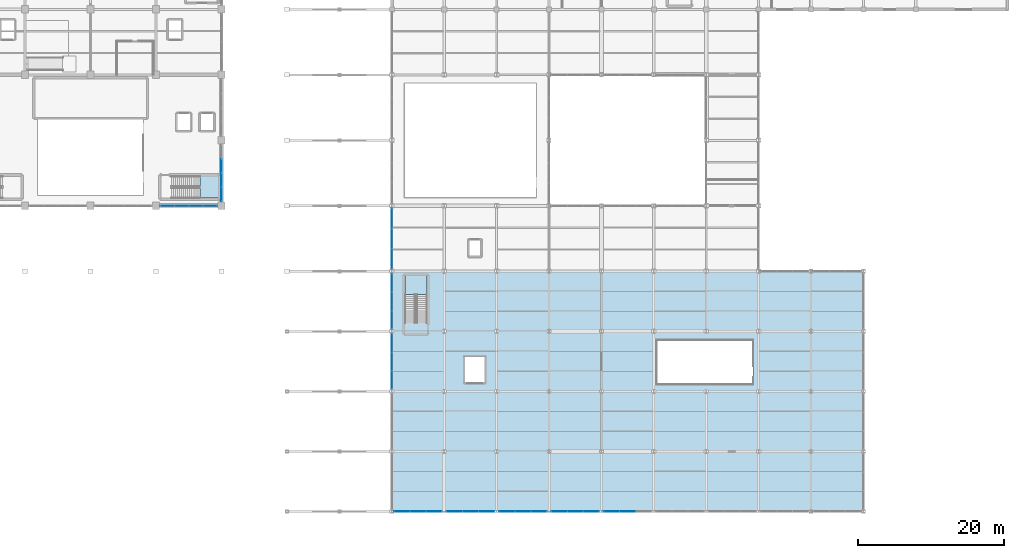
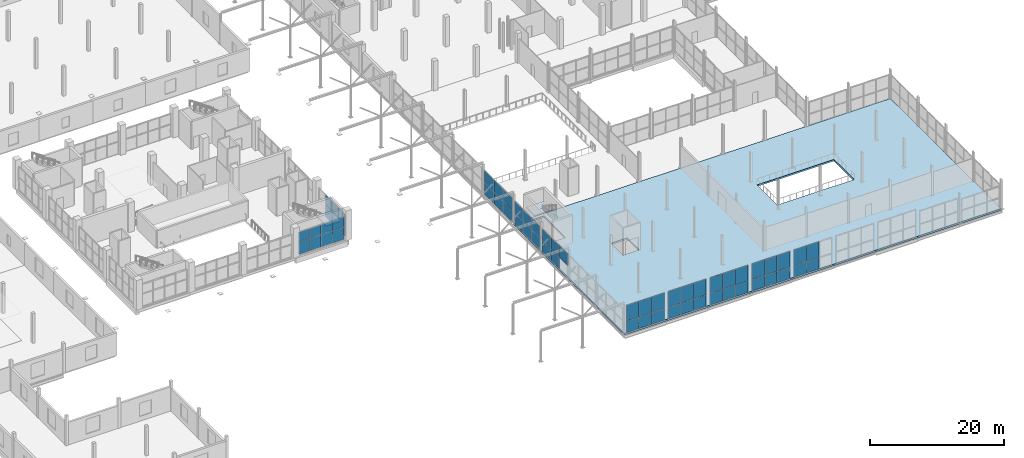
# One storey, part 114 of 147: 59 plates, 3 slabs, 12 elements without a shape of their own.
"""IFC4 building model written with IfcOpenShell, lengths in metres."""

from ifc_helpers import new_model, si_unit, direction, frame, origin, origin_2d, place, context, subcontext, project, spatial, polyline, rectangle, outline, extrude, material, layer, layer_set, type_object, element, aggregate, save


model = new_model("IFC4")

# Units and contexts
model_context = context("Model", 3, precision=1e-05, world=origin(), true_north=direction((0.0, 1.0)))
body_context = subcontext(model_context, "Body", "Model", "MODEL_VIEW")
ifc_project = project(units=[si_unit("LENGTHUNIT", "METRE"), si_unit("AREAUNIT", "SQUARE_METRE"), si_unit("VOLUMEUNIT", "CUBIC_METRE"), si_unit("PLANEANGLEUNIT", "RADIAN"), si_unit("MASSUNIT", "GRAM", prefix="KILO")], contexts=[model_context])

# Site, building, storey
site_placement = place(None, origin())
site = spatial("IfcSite", under=ifc_project, at=site_placement, CompositionType="ELEMENT")
building_placement = place(site_placement, origin())
building = spatial("IfcBuilding", under=site, at=building_placement, Name="Sundgate Opera House", CompositionType="ELEMENT")
storey_placement = place(building_placement, frame((0.0, 0.0, 6.0)))
storey = spatial("IfcBuildingStorey", under=building, at=storey_placement, Name="L01", CompositionType="ELEMENT", Elevation=6.0)

# Curtain wall, plates
ifc_material_1 = material(Name="Anodized aluminium and low-iron glass", Category="aluminium")
ifc_layer_1 = layer(ifc_material_1, 0.179931640625)
ifc_layer_set_1 = layer_set([ifc_layer_1], Name="Anodized aluminium and low-iron glass")
curtain_wall_type_1 = type_object("IfcCurtainWallType", Name="CW-FOYER-GLASS", PredefinedType="NOTDEFINED", material=ifc_layer_set_1)
curtain_wall_1_placement = place(storey_placement, origin())
curtain_wall_1 = element("IfcCurtainWall", 1, at=curtain_wall_1_placement, inside=storey, type_object=curtain_wall_type_1, Name="L01 Curtain Wall CW014", PredefinedType="NOTDEFINED")
ifc_material_2 = material(Name="Low-iron triple acoustic glazing", Category="glass")
ifc_layer_2 = layer(ifc_material_2, 0.035888671875)
ifc_layer_set_2 = layer_set([ifc_layer_2], Name="Low-iron triple acoustic glazing")
plate_type_1 = type_object("IfcPlateType", Name="CWP-CLEAR-36", PredefinedType="CURTAIN_PANEL", material=ifc_layer_set_2)
plate_1_placement = place(storey_placement, frame((70.425048828125, 42.0, 0.02001953125), z_axis=(0.0, 0.0, 1.0), x_axis=(-1.0, 0.0, 0.0)))
plate_1 = element("IfcPlate", 2, at=plate_1_placement, type_object=plate_type_1, Name="CW014 Panel 1", PredefinedType="CURTAIN_PANEL", context=body_context, shape_type="SweptSolid", body=[
    extrude(rectangle(XDim=1.909912109375, YDim=0.035888671875, at=origin_2d()), origin(), (0.0, 0.0, 1.0), 2.260009765625),
])
plate_2_placement = place(storey_placement, frame((70.425048828125, 42.0, 2.320068359375), z_axis=(0.0, 0.0, 1.0), x_axis=(-1.0, 0.0, 0.0)))
plate_2 = element("IfcPlate", 3, at=plate_2_placement, type_object=plate_type_1, Name="CW014 Panel 2", PredefinedType="CURTAIN_PANEL", context=body_context, shape_type="SweptSolid", body=[
    extrude(rectangle(XDim=1.909912109375, YDim=0.035888671875, at=origin_2d()), origin(), (0.0, 0.0, 1.0), 1.705078125),
])
plate_3_placement = place(storey_placement, frame((68.47509765625, 42.0, 0.02001953125), z_axis=(0.0, 0.0, 1.0), x_axis=(-1.0, 0.0, 0.0)))
plate_3 = element("IfcPlate", 4, at=plate_3_placement, type_object=plate_type_1, Name="CW014 Panel 3", PredefinedType="CURTAIN_PANEL", context=body_context, shape_type="SweptSolid", body=[
    extrude(rectangle(XDim=1.909912109375, YDim=0.035888671875, at=origin_2d()), origin(), (0.0, 0.0, 1.0), 2.260009765625),
])
plate_4_placement = place(storey_placement, frame((68.47509765625, 42.0, 2.320068359375), z_axis=(0.0, 0.0, 1.0), x_axis=(-1.0, 0.0, 0.0)))
plate_4 = element("IfcPlate", 5, at=plate_4_placement, type_object=plate_type_1, Name="CW014 Panel 4", PredefinedType="CURTAIN_PANEL", context=body_context, shape_type="SweptSolid", body=[
    extrude(rectangle(XDim=1.909912109375, YDim=0.035888671875, at=origin_2d()), origin(), (0.0, 0.0, 1.0), 1.705078125),
])
plate_5_placement = place(storey_placement, frame((66.52490234375, 42.0, 0.02001953125), z_axis=(0.0, 0.0, 1.0), x_axis=(-1.0, 0.0, 0.0)))
plate_5 = element("IfcPlate", 6, at=plate_5_placement, type_object=plate_type_1, Name="CW014 Panel 5", PredefinedType="CURTAIN_PANEL", context=body_context, shape_type="SweptSolid", body=[
    extrude(rectangle(XDim=1.909912109375, YDim=0.035888671875, at=origin_2d()), origin(), (0.0, 0.0, 1.0), 2.260009765625),
])
plate_6_placement = place(storey_placement, frame((66.52490234375, 42.0, 2.320068359375), z_axis=(0.0, 0.0, 1.0), x_axis=(-1.0, 0.0, 0.0)))
plate_6 = element("IfcPlate", 7, at=plate_6_placement, type_object=plate_type_1, Name="CW014 Panel 6", PredefinedType="CURTAIN_PANEL", context=body_context, shape_type="SweptSolid", body=[
    extrude(rectangle(XDim=1.909912109375, YDim=0.035888671875, at=origin_2d()), origin(), (0.0, 0.0, 1.0), 1.705078125),
])
plate_7_placement = place(storey_placement, frame((64.574951171875, 42.0, 0.02001953125), z_axis=(0.0, 0.0, 1.0), x_axis=(-1.0, 0.0, 0.0)))
plate_7 = element("IfcPlate", 8, at=plate_7_placement, type_object=plate_type_1, Name="CW014 Panel 7", PredefinedType="CURTAIN_PANEL", context=body_context, shape_type="SweptSolid", body=[
    extrude(rectangle(XDim=1.909912109375, YDim=0.035888671875, at=origin_2d()), origin(), (0.0, 0.0, 1.0), 2.260009765625),
])
plate_8_placement = place(storey_placement, frame((64.574951171875, 42.0, 2.320068359375), z_axis=(0.0, 0.0, 1.0), x_axis=(-1.0, 0.0, 0.0)))
plate_8 = element("IfcPlate", 9, at=plate_8_placement, type_object=plate_type_1, Name="CW014 Panel 8", PredefinedType="CURTAIN_PANEL", context=body_context, shape_type="SweptSolid", body=[
    extrude(rectangle(XDim=1.909912109375, YDim=0.035888671875, at=origin_2d()), origin(), (0.0, 0.0, 1.0), 1.705078125),
])
aggregate(curtain_wall_1, [plate_1, plate_2, plate_3, plate_4, plate_5, plate_6, plate_7, plate_8])

curtain_wall_2_placement = place(storey_placement, origin())
curtain_wall_2 = element("IfcCurtainWall", 10, at=curtain_wall_2_placement, inside=storey, type_object=curtain_wall_type_1, Name="L01 Curtain Wall CW023", PredefinedType="NOTDEFINED")
plate_9_placement = place(storey_placement, frame((72.0, 43.574951171875, 0.02001953125), z_axis=(0.0, 0.0, 1.0), x_axis=(0.0, 1.0, 0.0)))
plate_9 = element("IfcPlate", 11, at=plate_9_placement, type_object=plate_type_1, Name="CW023 Panel 1", PredefinedType="CURTAIN_PANEL", context=body_context, shape_type="SweptSolid", body=[
    extrude(rectangle(XDim=1.909912109375, YDim=0.035888671875, at=origin_2d()), origin(), (0.0, 0.0, 1.0), 2.260009765625),
])
plate_10_placement = place(storey_placement, frame((72.0, 43.574951171875, 2.320068359375), z_axis=(0.0, 0.0, 1.0), x_axis=(0.0, 1.0, 0.0)))
plate_10 = element("IfcPlate", 12, at=plate_10_placement, type_object=plate_type_1, Name="CW023 Panel 2", PredefinedType="CURTAIN_PANEL", context=body_context, shape_type="SweptSolid", body=[
    extrude(rectangle(XDim=1.909912109375, YDim=0.035888671875, at=origin_2d()), origin(), (0.0, 0.0, 1.0), 1.7548828125),
])
plate_11_placement = place(storey_placement, frame((72.0, 45.52490234375, 0.02001953125), z_axis=(0.0, 0.0, 1.0), x_axis=(0.0, 1.0, 0.0)))
plate_11 = element("IfcPlate", 13, at=plate_11_placement, type_object=plate_type_1, Name="CW023 Panel 3", PredefinedType="CURTAIN_PANEL", context=body_context, shape_type="SweptSolid", body=[
    extrude(rectangle(XDim=1.909912109375, YDim=0.035888671875, at=origin_2d()), origin(), (0.0, 0.0, 1.0), 2.260009765625),
])
plate_12_placement = place(storey_placement, frame((72.0, 45.52490234375, 2.320068359375), z_axis=(0.0, 0.0, 1.0), x_axis=(0.0, 1.0, 0.0)))
plate_12 = element("IfcPlate", 14, at=plate_12_placement, type_object=plate_type_1, Name="CW023 Panel 4", PredefinedType="CURTAIN_PANEL", context=body_context, shape_type="SweptSolid", body=[
    extrude(rectangle(XDim=1.909912109375, YDim=0.035888671875, at=origin_2d()), origin(), (0.0, 0.0, 1.0), 1.7548828125),
])
plate_13_placement = place(storey_placement, frame((72.0, 47.47509765625, 0.02001953125), z_axis=(0.0, 0.0, 1.0), x_axis=(0.0, 1.0, 0.0)))
plate_13 = element("IfcPlate", 15, at=plate_13_placement, type_object=plate_type_1, Name="CW023 Panel 5", PredefinedType="CURTAIN_PANEL", context=body_context, shape_type="SweptSolid", body=[
    extrude(rectangle(XDim=1.909912109375, YDim=0.035888671875, at=origin_2d()), origin(), (0.0, 0.0, 1.0), 2.260009765625),
])
plate_14_placement = place(storey_placement, frame((72.0, 47.47509765625, 2.320068359375), z_axis=(0.0, 0.0, 1.0), x_axis=(0.0, 1.0, 0.0)))
plate_14 = element("IfcPlate", 16, at=plate_14_placement, type_object=plate_type_1, Name="CW023 Panel 6", PredefinedType="CURTAIN_PANEL", context=body_context, shape_type="SweptSolid", body=[
    extrude(rectangle(XDim=1.909912109375, YDim=0.035888671875, at=origin_2d()), origin(), (0.0, 0.0, 1.0), 1.7548828125),
])
aggregate(curtain_wall_2, [plate_9, plate_10, plate_11, plate_12, plate_13, plate_14])

ifc_material_3 = material(Name="Anodized aluminium and low-iron glass", Category="aluminium")
ifc_layer_3 = layer(ifc_material_3, 0.159912109375)
ifc_layer_set_3 = layer_set([ifc_layer_3], Name="Anodized aluminium and low-iron glass")
curtain_wall_type_2 = type_object("IfcCurtainWallType", Name="CW-STUDIO-DARK", PredefinedType="NOTDEFINED", material=ifc_layer_set_3)
curtain_wall_3_placement = place(storey_placement, origin())
curtain_wall_3 = element("IfcCurtainWall", 17, at=curtain_wall_3_placement, inside=storey, type_object=curtain_wall_type_2, Name="L01 Curtain Wall CW044", PredefinedType="NOTDEFINED")
ifc_material_4 = material(Name="Dark solar-control triple acoustic glazing", Category="glass")
ifc_layer_4 = layer(ifc_material_4, 0.031982421875)
ifc_layer_set_4 = layer_set([ifc_layer_4], Name="Dark solar-control triple acoustic glazing")
plate_type_2 = type_object("IfcPlateType", Name="CWP-DARK-32", PredefinedType="CURTAIN_PANEL", material=ifc_layer_set_4)
plate_15_placement = place(storey_placement, frame((95.39990234375, 40.283447265625, 0.02001953125), z_axis=(0.0, 0.0, 1.0), x_axis=(0.0, -1.0, 0.0)))
plate_15 = element("IfcPlate", 18, at=plate_15_placement, type_object=plate_type_2, Name="CW044 Panel 1", PredefinedType="CURTAIN_PANEL", context=body_context, shape_type="SweptSolid", body=[
    extrude(rectangle(XDim=2.743408203125, YDim=0.031982421875, at=origin_2d()), origin(), (0.0, 0.0, 1.0), 2.110107421875),
])
plate_16_placement = place(storey_placement, frame((95.39990234375, 40.283447265625, 2.169921875), z_axis=(0.0, 0.0, 1.0), x_axis=(0.0, -1.0, 0.0)))
plate_16 = element("IfcPlate", 19, at=plate_16_placement, type_object=plate_type_2, Name="CW044 Panel 2", PredefinedType="CURTAIN_PANEL", context=body_context, shape_type="SweptSolid", body=[
    extrude(rectangle(XDim=2.743408203125, YDim=0.031982421875, at=origin_2d()), origin(), (0.0, 0.0, 1.0), 2.22509765625),
])
plate_17_placement = place(storey_placement, frame((95.39990234375, 37.5, 0.02001953125), z_axis=(0.0, 0.0, 1.0), x_axis=(0.0, -1.0, 0.0)))
plate_17 = element("IfcPlate", 20, at=plate_17_placement, type_object=plate_type_2, Name="CW044 Panel 3", PredefinedType="CURTAIN_PANEL", context=body_context, shape_type="SweptSolid", body=[
    extrude(rectangle(XDim=2.743408203125, YDim=0.031982421875, at=origin_2d()), origin(), (0.0, 0.0, 1.0), 2.110107421875),
])
plate_18_placement = place(storey_placement, frame((95.39990234375, 37.5, 2.169921875), z_axis=(0.0, 0.0, 1.0), x_axis=(0.0, -1.0, 0.0)))
plate_18 = element("IfcPlate", 21, at=plate_18_placement, type_object=plate_type_2, Name="CW044 Panel 4", PredefinedType="CURTAIN_PANEL", context=body_context, shape_type="SweptSolid", body=[
    extrude(rectangle(XDim=2.743408203125, YDim=0.031982421875, at=origin_2d()), origin(), (0.0, 0.0, 1.0), 2.22509765625),
])
plate_19_placement = place(storey_placement, frame((95.39990234375, 34.716552734375, 0.02001953125), z_axis=(0.0, 0.0, 1.0), x_axis=(0.0, -1.0, 0.0)))
plate_19 = element("IfcPlate", 22, at=plate_19_placement, type_object=plate_type_2, Name="CW044 Panel 5", PredefinedType="CURTAIN_PANEL", context=body_context, shape_type="SweptSolid", body=[
    extrude(rectangle(XDim=2.743408203125, YDim=0.031982421875, at=origin_2d()), origin(), (0.0, 0.0, 1.0), 2.110107421875),
])
plate_20_placement = place(storey_placement, frame((95.39990234375, 34.716552734375, 2.169921875), z_axis=(0.0, 0.0, 1.0), x_axis=(0.0, -1.0, 0.0)))
plate_20 = element("IfcPlate", 23, at=plate_20_placement, type_object=plate_type_2, Name="CW044 Panel 6", PredefinedType="CURTAIN_PANEL", context=body_context, shape_type="SweptSolid", body=[
    extrude(rectangle(XDim=2.743408203125, YDim=0.031982421875, at=origin_2d()), origin(), (0.0, 0.0, 1.0), 2.22509765625),
])
aggregate(curtain_wall_3, [plate_15, plate_16, plate_17, plate_18, plate_19, plate_20])

ifc_material_5 = material(Name="Anodized aluminium and low-iron glass", Category="aluminium")
ifc_layer_5 = layer(ifc_material_5, 0.14990234375)
ifc_layer_set_5 = layer_set([ifc_layer_5], Name="Anodized aluminium and low-iron glass")
curtain_wall_type_3 = type_object("IfcCurtainWallType", Name="CW-WORKSHOP-DARK", PredefinedType="NOTDEFINED", material=ifc_layer_set_5)
curtain_wall_4_placement = place(storey_placement, origin())
curtain_wall_4 = element("IfcCurtainWall", 24, at=curtain_wall_4_placement, inside=storey, type_object=curtain_wall_type_3, Name="L01 Curtain Wall CW135", PredefinedType="NOTDEFINED")
plate_21_placement = place(storey_placement, frame((101.183349609375, 0.0, 0.02001953125), z_axis=(0.0, 0.0, 1.0), x_axis=(-1.0, 0.0, 0.0)))
plate_21 = element("IfcPlate", 25, at=plate_21_placement, type_object=plate_type_2, Name="CW135 Panel 1", PredefinedType="CURTAIN_PANEL", context=body_context, shape_type="SweptSolid", body=[
    extrude(rectangle(XDim=2.143310546875, YDim=0.031982421875, at=origin_2d()), origin(), (0.0, 0.0, 1.0), 2.06005859375),
])
plate_22_placement = place(storey_placement, frame((101.183349609375, 0.0, 2.1201171875), z_axis=(0.0, 0.0, 1.0), x_axis=(-1.0, 0.0, 0.0)))
plate_22 = element("IfcPlate", 26, at=plate_22_placement, type_object=plate_type_2, Name="CW135 Panel 2", PredefinedType="CURTAIN_PANEL", context=body_context, shape_type="SweptSolid", body=[
    extrude(rectangle(XDim=2.143310546875, YDim=0.031982421875, at=origin_2d()), origin(), (0.0, 0.0, 1.0), 2.875),
])
plate_23_placement = place(storey_placement, frame((99.0, 0.0, 0.02001953125), z_axis=(0.0, 0.0, 1.0), x_axis=(-1.0, 0.0, 0.0)))
plate_23 = element("IfcPlate", 27, at=plate_23_placement, type_object=plate_type_2, Name="CW135 Panel 3", PredefinedType="CURTAIN_PANEL", context=body_context, shape_type="SweptSolid", body=[
    extrude(rectangle(XDim=2.143310546875, YDim=0.031982421875, at=origin_2d()), origin(), (0.0, 0.0, 1.0), 2.06005859375),
])
plate_24_placement = place(storey_placement, frame((99.0, 0.0, 2.1201171875), z_axis=(0.0, 0.0, 1.0), x_axis=(-1.0, 0.0, 0.0)))
plate_24 = element("IfcPlate", 28, at=plate_24_placement, type_object=plate_type_2, Name="CW135 Panel 4", PredefinedType="CURTAIN_PANEL", context=body_context, shape_type="SweptSolid", body=[
    extrude(rectangle(XDim=2.143310546875, YDim=0.031982421875, at=origin_2d()), origin(), (0.0, 0.0, 1.0), 2.875),
])
plate_25_placement = place(storey_placement, frame((96.816650390625, 0.0, 0.02001953125), z_axis=(0.0, 0.0, 1.0), x_axis=(-1.0, 0.0, 0.0)))
plate_25 = element("IfcPlate", 29, at=plate_25_placement, type_object=plate_type_2, Name="CW135 Panel 5", PredefinedType="CURTAIN_PANEL", context=body_context, shape_type="SweptSolid", body=[
    extrude(rectangle(XDim=2.143310546875, YDim=0.031982421875, at=origin_2d()), origin(), (0.0, 0.0, 1.0), 2.06005859375),
])
plate_26_placement = place(storey_placement, frame((96.816650390625, 0.0, 2.1201171875), z_axis=(0.0, 0.0, 1.0), x_axis=(-1.0, 0.0, 0.0)))
plate_26 = element("IfcPlate", 30, at=plate_26_placement, type_object=plate_type_2, Name="CW135 Panel 6", PredefinedType="CURTAIN_PANEL", context=body_context, shape_type="SweptSolid", body=[
    extrude(rectangle(XDim=2.143310546875, YDim=0.031982421875, at=origin_2d()), origin(), (0.0, 0.0, 1.0), 2.875),
])
aggregate(curtain_wall_4, [plate_21, plate_22, plate_23, plate_24, plate_25, plate_26])

curtain_wall_5_placement = place(storey_placement, origin())
curtain_wall_5 = element("IfcCurtainWall", 31, at=curtain_wall_5_placement, inside=storey, type_object=curtain_wall_type_3, Name="L01 Curtain Wall CW136", PredefinedType="NOTDEFINED")
plate_27_placement = place(storey_placement, frame((108.38330078125, 0.0, 0.02001953125), z_axis=(0.0, 0.0, 1.0), x_axis=(-1.0, 0.0, 0.0)))
plate_27 = element("IfcPlate", 32, at=plate_27_placement, type_object=plate_type_2, Name="CW136 Panel 1", PredefinedType="CURTAIN_PANEL", context=body_context, shape_type="SweptSolid", body=[
    extrude(rectangle(XDim=2.143310546875, YDim=0.031982421875, at=origin_2d()), origin(), (0.0, 0.0, 1.0), 2.06005859375),
])
plate_28_placement = place(storey_placement, frame((108.38330078125, 0.0, 2.1201171875), z_axis=(0.0, 0.0, 1.0), x_axis=(-1.0, 0.0, 0.0)))
plate_28 = element("IfcPlate", 33, at=plate_28_placement, type_object=plate_type_2, Name="CW136 Panel 2", PredefinedType="CURTAIN_PANEL", context=body_context, shape_type="SweptSolid", body=[
    extrude(rectangle(XDim=2.143310546875, YDim=0.031982421875, at=origin_2d()), origin(), (0.0, 0.0, 1.0), 2.875),
])
plate_29_placement = place(storey_placement, frame((106.199951171875, 0.0, 0.02001953125), z_axis=(0.0, 0.0, 1.0), x_axis=(-1.0, 0.0, 0.0)))
plate_29 = element("IfcPlate", 34, at=plate_29_placement, type_object=plate_type_2, Name="CW136 Panel 3", PredefinedType="CURTAIN_PANEL", context=body_context, shape_type="SweptSolid", body=[
    extrude(rectangle(XDim=2.143310546875, YDim=0.031982421875, at=origin_2d()), origin(), (0.0, 0.0, 1.0), 2.06005859375),
])
plate_30_placement = place(storey_placement, frame((106.199951171875, 0.0, 2.1201171875), z_axis=(0.0, 0.0, 1.0), x_axis=(-1.0, 0.0, 0.0)))
plate_30 = element("IfcPlate", 35, at=plate_30_placement, type_object=plate_type_2, Name="CW136 Panel 4", PredefinedType="CURTAIN_PANEL", context=body_context, shape_type="SweptSolid", body=[
    extrude(rectangle(XDim=2.143310546875, YDim=0.031982421875, at=origin_2d()), origin(), (0.0, 0.0, 1.0), 2.875),
])
plate_31_placement = place(storey_placement, frame((104.0166015625, 0.0, 0.02001953125), z_axis=(0.0, 0.0, 1.0), x_axis=(-1.0, 0.0, 0.0)))
plate_31 = element("IfcPlate", 36, at=plate_31_placement, type_object=plate_type_2, Name="CW136 Panel 5", PredefinedType="CURTAIN_PANEL", context=body_context, shape_type="SweptSolid", body=[
    extrude(rectangle(XDim=2.143310546875, YDim=0.031982421875, at=origin_2d()), origin(), (0.0, 0.0, 1.0), 2.06005859375),
])
plate_32_placement = place(storey_placement, frame((104.0166015625, 0.0, 2.1201171875), z_axis=(0.0, 0.0, 1.0), x_axis=(-1.0, 0.0, 0.0)))
plate_32 = element("IfcPlate", 37, at=plate_32_placement, type_object=plate_type_2, Name="CW136 Panel 6", PredefinedType="CURTAIN_PANEL", context=body_context, shape_type="SweptSolid", body=[
    extrude(rectangle(XDim=2.143310546875, YDim=0.031982421875, at=origin_2d()), origin(), (0.0, 0.0, 1.0), 2.875),
])
aggregate(curtain_wall_5, [plate_27, plate_28, plate_29, plate_30, plate_31, plate_32])

curtain_wall_6_placement = place(storey_placement, origin())
curtain_wall_6 = element("IfcCurtainWall", 38, at=curtain_wall_6_placement, inside=storey, type_object=curtain_wall_type_3, Name="L01 Curtain Wall CW138", PredefinedType="NOTDEFINED")
plate_33_placement = place(storey_placement, frame((122.783447265625, 0.0, 0.02001953125), z_axis=(0.0, 0.0, 1.0), x_axis=(-1.0, 0.0, 0.0)))
plate_33 = element("IfcPlate", 39, at=plate_33_placement, type_object=plate_type_2, Name="CW138 Panel 1", PredefinedType="CURTAIN_PANEL", context=body_context, shape_type="SweptSolid", body=[
    extrude(rectangle(XDim=2.143310546875, YDim=0.031982421875, at=origin_2d()), origin(), (0.0, 0.0, 1.0), 2.06005859375),
])
plate_34_placement = place(storey_placement, frame((122.783447265625, 0.0, 2.1201171875), z_axis=(0.0, 0.0, 1.0), x_axis=(-1.0, 0.0, 0.0)))
plate_34 = element("IfcPlate", 40, at=plate_34_placement, type_object=plate_type_2, Name="CW138 Panel 2", PredefinedType="CURTAIN_PANEL", context=body_context, shape_type="SweptSolid", body=[
    extrude(rectangle(XDim=2.143310546875, YDim=0.031982421875, at=origin_2d()), origin(), (0.0, 0.0, 1.0), 2.875),
])
plate_35_placement = place(storey_placement, frame((120.60009765625, 0.0, 0.02001953125), z_axis=(0.0, 0.0, 1.0), x_axis=(-1.0, 0.0, 0.0)))
plate_35 = element("IfcPlate", 41, at=plate_35_placement, type_object=plate_type_2, Name="CW138 Panel 3", PredefinedType="CURTAIN_PANEL", context=body_context, shape_type="SweptSolid", body=[
    extrude(rectangle(XDim=2.143310546875, YDim=0.031982421875, at=origin_2d()), origin(), (0.0, 0.0, 1.0), 2.06005859375),
])
plate_36_placement = place(storey_placement, frame((120.60009765625, 0.0, 2.1201171875), z_axis=(0.0, 0.0, 1.0), x_axis=(-1.0, 0.0, 0.0)))
plate_36 = element("IfcPlate", 42, at=plate_36_placement, type_object=plate_type_2, Name="CW138 Panel 4", PredefinedType="CURTAIN_PANEL", context=body_context, shape_type="SweptSolid", body=[
    extrude(rectangle(XDim=2.143310546875, YDim=0.031982421875, at=origin_2d()), origin(), (0.0, 0.0, 1.0), 2.875),
])
plate_37_placement = place(storey_placement, frame((118.416748046875, 0.0, 0.02001953125), z_axis=(0.0, 0.0, 1.0), x_axis=(-1.0, 0.0, 0.0)))
plate_37 = element("IfcPlate", 43, at=plate_37_placement, type_object=plate_type_2, Name="CW138 Panel 5", PredefinedType="CURTAIN_PANEL", context=body_context, shape_type="SweptSolid", body=[
    extrude(rectangle(XDim=2.143310546875, YDim=0.031982421875, at=origin_2d()), origin(), (0.0, 0.0, 1.0), 2.06005859375),
])
plate_38_placement = place(storey_placement, frame((118.416748046875, 0.0, 2.1201171875), z_axis=(0.0, 0.0, 1.0), x_axis=(-1.0, 0.0, 0.0)))
plate_38 = element("IfcPlate", 44, at=plate_38_placement, type_object=plate_type_2, Name="CW138 Panel 6", PredefinedType="CURTAIN_PANEL", context=body_context, shape_type="SweptSolid", body=[
    extrude(rectangle(XDim=2.143310546875, YDim=0.031982421875, at=origin_2d()), origin(), (0.0, 0.0, 1.0), 2.875),
])
aggregate(curtain_wall_6, [plate_33, plate_34, plate_35, plate_36, plate_37, plate_38])

curtain_wall_7_placement = place(storey_placement, origin())
curtain_wall_7 = element("IfcCurtainWall", 45, at=curtain_wall_7_placement, inside=storey, type_object=curtain_wall_type_3, Name="L01 Curtain Wall CW139", PredefinedType="NOTDEFINED")
plate_39_placement = place(storey_placement, frame((127.800048828125, 0.0, 0.02001953125), z_axis=(0.0, 0.0, 1.0), x_axis=(-1.0, 0.0, 0.0)))
plate_39 = element("IfcPlate", 46, at=plate_39_placement, type_object=plate_type_2, Name="CW139 Panel 3", PredefinedType="CURTAIN_PANEL", context=body_context, shape_type="SweptSolid", body=[
    extrude(rectangle(XDim=2.143310546875, YDim=0.031982421875, at=origin_2d()), origin(), (0.0, 0.0, 1.0), 2.06005859375),
])
plate_40_placement = place(storey_placement, frame((127.800048828125, 0.0, 2.1201171875), z_axis=(0.0, 0.0, 1.0), x_axis=(-1.0, 0.0, 0.0)))
plate_40 = element("IfcPlate", 47, at=plate_40_placement, type_object=plate_type_2, Name="CW139 Panel 4", PredefinedType="CURTAIN_PANEL", context=body_context, shape_type="SweptSolid", body=[
    extrude(rectangle(XDim=2.143310546875, YDim=0.031982421875, at=origin_2d()), origin(), (0.0, 0.0, 1.0), 2.875),
])
plate_41_placement = place(storey_placement, frame((125.61669921875, 0.0, 0.02001953125), z_axis=(0.0, 0.0, 1.0), x_axis=(-1.0, 0.0, 0.0)))
plate_41 = element("IfcPlate", 48, at=plate_41_placement, type_object=plate_type_2, Name="CW139 Panel 5", PredefinedType="CURTAIN_PANEL", context=body_context, shape_type="SweptSolid", body=[
    extrude(rectangle(XDim=2.143310546875, YDim=0.031982421875, at=origin_2d()), origin(), (0.0, 0.0, 1.0), 2.06005859375),
])
plate_42_placement = place(storey_placement, frame((125.61669921875, 0.0, 2.1201171875), z_axis=(0.0, 0.0, 1.0), x_axis=(-1.0, 0.0, 0.0)))
plate_42 = element("IfcPlate", 49, at=plate_42_placement, type_object=plate_type_2, Name="CW139 Panel 6", PredefinedType="CURTAIN_PANEL", context=body_context, shape_type="SweptSolid", body=[
    extrude(rectangle(XDim=2.143310546875, YDim=0.031982421875, at=origin_2d()), origin(), (0.0, 0.0, 1.0), 2.875),
])
aggregate(curtain_wall_7, [plate_39, plate_40, plate_41, plate_42])

curtain_wall_8_placement = place(storey_placement, origin())
curtain_wall_8 = element("IfcCurtainWall", 50, at=curtain_wall_8_placement, inside=storey, type_object=curtain_wall_type_3, Name="L01 Curtain Wall CW146", PredefinedType="NOTDEFINED")
plate_43_placement = place(storey_placement, frame((95.39990234375, 23.158447265625, 0.02001953125), z_axis=(0.0, 0.0, 1.0), x_axis=(0.0, -1.0, 0.0)))
plate_43 = element("IfcPlate", 51, at=plate_43_placement, type_object=plate_type_2, Name="CW146 Panel 1", PredefinedType="CURTAIN_PANEL", context=body_context, shape_type="SweptSolid", body=[
    extrude(rectangle(XDim=2.493408203125, YDim=0.031982421875, at=origin_2d()), origin(), (0.0, 0.0, 1.0), 2.06005859375),
])
plate_44_placement = place(storey_placement, frame((95.39990234375, 23.158447265625, 2.1201171875), z_axis=(0.0, 0.0, 1.0), x_axis=(0.0, -1.0, 0.0)))
plate_44 = element("IfcPlate", 52, at=plate_44_placement, type_object=plate_type_2, Name="CW146 Panel 2", PredefinedType="CURTAIN_PANEL", context=body_context, shape_type="SweptSolid", body=[
    extrude(rectangle(XDim=2.493408203125, YDim=0.031982421875, at=origin_2d()), origin(), (0.0, 0.0, 1.0), 2.125),
])
plate_45_placement = place(storey_placement, frame((95.39990234375, 20.625, 0.02001953125), z_axis=(0.0, 0.0, 1.0), x_axis=(0.0, -1.0, 0.0)))
plate_45 = element("IfcPlate", 53, at=plate_45_placement, type_object=plate_type_2, Name="CW146 Panel 3", PredefinedType="CURTAIN_PANEL", context=body_context, shape_type="SweptSolid", body=[
    extrude(rectangle(XDim=2.493408203125, YDim=0.031982421875, at=origin_2d()), origin(), (0.0, 0.0, 1.0), 2.06005859375),
])
plate_46_placement = place(storey_placement, frame((95.39990234375, 20.625, 2.1201171875), z_axis=(0.0, 0.0, 1.0), x_axis=(0.0, -1.0, 0.0)))
plate_46 = element("IfcPlate", 54, at=plate_46_placement, type_object=plate_type_2, Name="CW146 Panel 4", PredefinedType="CURTAIN_PANEL", context=body_context, shape_type="SweptSolid", body=[
    extrude(rectangle(XDim=2.493408203125, YDim=0.031982421875, at=origin_2d()), origin(), (0.0, 0.0, 1.0), 2.125),
])
plate_47_placement = place(storey_placement, frame((95.39990234375, 18.091552734375, 2.1201171875), z_axis=(0.0, 0.0, 1.0), x_axis=(0.0, -1.0, 0.0)))
plate_47 = element("IfcPlate", 55, at=plate_47_placement, type_object=plate_type_2, Name="CW146 Panel 6", PredefinedType="CURTAIN_PANEL", context=body_context, shape_type="SweptSolid", body=[
    extrude(rectangle(XDim=2.493408203125, YDim=0.031982421875, at=origin_2d()), origin(), (0.0, 0.0, 1.0), 2.125),
])
aggregate(curtain_wall_8, [plate_43, plate_44, plate_45, plate_46, plate_47])

curtain_wall_9_placement = place(storey_placement, origin())
curtain_wall_9 = element("IfcCurtainWall", 56, at=curtain_wall_9_placement, inside=storey, type_object=curtain_wall_type_3, Name="L01 Curtain Wall CW147", PredefinedType="NOTDEFINED")
plate_48_placement = place(storey_placement, frame((95.39990234375, 31.408447265625, 0.02001953125), z_axis=(0.0, 0.0, 1.0), x_axis=(0.0, -1.0, 0.0)))
plate_48 = element("IfcPlate", 57, at=plate_48_placement, type_object=plate_type_2, Name="CW147 Panel 1", PredefinedType="CURTAIN_PANEL", context=body_context, shape_type="SweptSolid", body=[
    extrude(rectangle(XDim=2.493408203125, YDim=0.031982421875, at=origin_2d()), origin(), (0.0, 0.0, 1.0), 2.06005859375),
])
plate_49_placement = place(storey_placement, frame((95.39990234375, 31.408447265625, 2.1201171875), z_axis=(0.0, 0.0, 1.0), x_axis=(0.0, -1.0, 0.0)))
plate_49 = element("IfcPlate", 58, at=plate_49_placement, type_object=plate_type_2, Name="CW147 Panel 2", PredefinedType="CURTAIN_PANEL", context=body_context, shape_type="SweptSolid", body=[
    extrude(rectangle(XDim=2.493408203125, YDim=0.031982421875, at=origin_2d()), origin(), (0.0, 0.0, 1.0), 2.125),
])
plate_50_placement = place(storey_placement, frame((95.39990234375, 28.875, 0.02001953125), z_axis=(0.0, 0.0, 1.0), x_axis=(0.0, -1.0, 0.0)))
plate_50 = element("IfcPlate", 59, at=plate_50_placement, type_object=plate_type_2, Name="CW147 Panel 3", PredefinedType="CURTAIN_PANEL", context=body_context, shape_type="SweptSolid", body=[
    extrude(rectangle(XDim=2.493408203125, YDim=0.031982421875, at=origin_2d()), origin(), (0.0, 0.0, 1.0), 2.06005859375),
])
plate_51_placement = place(storey_placement, frame((95.39990234375, 28.875, 2.1201171875), z_axis=(0.0, 0.0, 1.0), x_axis=(0.0, -1.0, 0.0)))
plate_51 = element("IfcPlate", 60, at=plate_51_placement, type_object=plate_type_2, Name="CW147 Panel 4", PredefinedType="CURTAIN_PANEL", context=body_context, shape_type="SweptSolid", body=[
    extrude(rectangle(XDim=2.493408203125, YDim=0.031982421875, at=origin_2d()), origin(), (0.0, 0.0, 1.0), 2.125),
])
plate_52_placement = place(storey_placement, frame((95.39990234375, 26.341552734375, 0.02001953125), z_axis=(0.0, 0.0, 1.0), x_axis=(0.0, -1.0, 0.0)))
plate_52 = element("IfcPlate", 61, at=plate_52_placement, type_object=plate_type_2, Name="CW147 Panel 5", PredefinedType="CURTAIN_PANEL", context=body_context, shape_type="SweptSolid", body=[
    extrude(rectangle(XDim=2.493408203125, YDim=0.031982421875, at=origin_2d()), origin(), (0.0, 0.0, 1.0), 2.06005859375),
])
plate_53_placement = place(storey_placement, frame((95.39990234375, 26.341552734375, 2.1201171875), z_axis=(0.0, 0.0, 1.0), x_axis=(0.0, -1.0, 0.0)))
plate_53 = element("IfcPlate", 62, at=plate_53_placement, type_object=plate_type_2, Name="CW147 Panel 6", PredefinedType="CURTAIN_PANEL", context=body_context, shape_type="SweptSolid", body=[
    extrude(rectangle(XDim=2.493408203125, YDim=0.031982421875, at=origin_2d()), origin(), (0.0, 0.0, 1.0), 2.125),
])
aggregate(curtain_wall_9, [plate_48, plate_49, plate_50, plate_51, plate_52, plate_53])

curtain_wall_10_placement = place(storey_placement, origin())
curtain_wall_10 = element("IfcCurtainWall", 63, at=curtain_wall_10_placement, inside=storey, type_object=curtain_wall_type_3, Name="L01 Curtain Wall CW137", PredefinedType="NOTDEFINED")
ifc_material_6 = material(Name="Vitrified stoneware trencadis spandrel panel", Category="masonry")
ifc_layer_6 = layer(ifc_material_6, 0.0419921875)
ifc_layer_set_6 = layer_set([ifc_layer_6], Name="Vitrified stoneware trencadis spandrel panel")
plate_type_3 = type_object("IfcPlateType", Name="CWP-SPAND-42", PredefinedType="CURTAIN_PANEL", material=ifc_layer_set_6)
plate_54_placement = place(storey_placement, frame((115.583251953125, 0.0, 0.02001953125), z_axis=(0.0, 0.0, 1.0), x_axis=(-1.0, 0.0, 0.0)))
plate_54 = element("IfcPlate", 64, at=plate_54_placement, type_object=plate_type_3, Name="CW137 Panel 1", PredefinedType="CURTAIN_PANEL", context=body_context, shape_type="SweptSolid", body=[
    extrude(rectangle(XDim=2.143310546875, YDim=0.0419921875, at=origin_2d()), origin(), (0.0, 0.0, 1.0), 2.06005859375),
])
plate_55_placement = place(storey_placement, frame((115.583251953125, 0.0, 2.1201171875), z_axis=(0.0, 0.0, 1.0), x_axis=(-1.0, 0.0, 0.0)))
plate_55 = element("IfcPlate", 65, at=plate_55_placement, type_object=plate_type_3, Name="CW137 Panel 2", PredefinedType="CURTAIN_PANEL", context=body_context, shape_type="SweptSolid", body=[
    extrude(rectangle(XDim=2.143310546875, YDim=0.0419921875, at=origin_2d()), origin(), (0.0, 0.0, 1.0), 2.875),
])
plate_56_placement = place(storey_placement, frame((113.39990234375, 0.0, 0.02001953125), z_axis=(0.0, 0.0, 1.0), x_axis=(-1.0, 0.0, 0.0)))
plate_56 = element("IfcPlate", 66, at=plate_56_placement, type_object=plate_type_3, Name="CW137 Panel 3", PredefinedType="CURTAIN_PANEL", context=body_context, shape_type="SweptSolid", body=[
    extrude(rectangle(XDim=2.143310546875, YDim=0.0419921875, at=origin_2d()), origin(), (0.0, 0.0, 1.0), 2.06005859375),
])
plate_57_placement = place(storey_placement, frame((113.39990234375, 0.0, 2.1201171875), z_axis=(0.0, 0.0, 1.0), x_axis=(-1.0, 0.0, 0.0)))
plate_57 = element("IfcPlate", 67, at=plate_57_placement, type_object=plate_type_3, Name="CW137 Panel 4", PredefinedType="CURTAIN_PANEL", context=body_context, shape_type="SweptSolid", body=[
    extrude(rectangle(XDim=2.143310546875, YDim=0.0419921875, at=origin_2d()), origin(), (0.0, 0.0, 1.0), 2.875),
])
plate_58_placement = place(storey_placement, frame((111.216552734375, 0.0, 0.02001953125), z_axis=(0.0, 0.0, 1.0), x_axis=(-1.0, 0.0, 0.0)))
plate_58 = element("IfcPlate", 68, at=plate_58_placement, type_object=plate_type_3, Name="CW137 Panel 5", PredefinedType="CURTAIN_PANEL", context=body_context, shape_type="SweptSolid", body=[
    extrude(rectangle(XDim=2.143310546875, YDim=0.0419921875, at=origin_2d()), origin(), (0.0, 0.0, 1.0), 2.06005859375),
])
plate_59_placement = place(storey_placement, frame((111.216552734375, 0.0, 2.1201171875), z_axis=(0.0, 0.0, 1.0), x_axis=(-1.0, 0.0, 0.0)))
plate_59 = element("IfcPlate", 69, at=plate_59_placement, type_object=plate_type_3, Name="CW137 Panel 6", PredefinedType="CURTAIN_PANEL", context=body_context, shape_type="SweptSolid", body=[
    extrude(rectangle(XDim=2.143310546875, YDim=0.0419921875, at=origin_2d()), origin(), (0.0, 0.0, 1.0), 2.875),
])
aggregate(curtain_wall_10, [plate_54, plate_55, plate_56, plate_57, plate_58, plate_59])

# Slab
ifc_material_7 = material(Name="Concrete C40/50", Category="concrete")
ifc_layer_7 = layer(ifc_material_7, 0.300048828125)
ifc_layer_set_7 = layer_set([ifc_layer_7], Name="Concrete C40/50")
slab_type_1 = type_object("IfcSlabType", Name="SL-FLR-300", PredefinedType="FLOOR", material=ifc_layer_set_7)
slab_1_placement = place(storey_placement, frame((0.0, 0.0, -0.300048828125)))
element("IfcSlab", 70, at=slab_1_placement, inside=storey, type_object=slab_type_1, Name="L01 Structural Floor Slab V3", PredefinedType="FLOOR", context=body_context, shape_type="SweptSolid", body=[
    extrude(outline(polyline([(95.39990234375, 0.0), (160.199951171875, 0.0), (160.199951171875, 33.0), (95.39990234375, 33.0), (95.39990234375, 0.0)]), holes=[polyline([(131.800048828125, 23.5), (145.0, 23.5), (145.0, 17.5), (131.800048828125, 17.5), (131.800048828125, 23.5)]), polyline([(97.199951171875, 32.39990234375), (100.25, 32.39990234375), (100.25, 25.949951171875), (97.199951171875, 25.949951171875), (97.199951171875, 32.39990234375)]), polyline([(105.419921875, 21.280029296875), (108.179931640625, 21.280029296875), (108.179931640625, 17.719970703125), (105.419921875, 17.719970703125), (105.419921875, 21.280029296875)])]), origin(), (0.0, 0.0, 1.0), 0.300048828125),
])

# Stair, slab
ifc_material_8 = material(Name="Concrete C35/45", Category="concrete")
stair_type = type_object("IfcStairType", Name="ST-HT-30R-1450", PredefinedType="HALF_TURN_STAIR", material=ifc_material_8)
stair_1_placement = place(storey_placement, origin())
stair_1 = element("IfcStair", 71, at=stair_1_placement, inside=storey, type_object=stair_type, Name="L01 Escape Stair ST-03", PredefinedType="HALF_TURN_STAIR")
ifc_material_9 = material(Name="Concrete C35/45", Category="concrete")
ifc_layer_8 = layer(ifc_material_9, 0.199951171875)
ifc_layer_set_8 = layer_set([ifc_layer_8], Name="Concrete C35/45")
slab_type_2 = type_object("IfcSlabType", Name="SL-LAND-200", PredefinedType="LANDING", material=ifc_layer_set_8)
slab_2_placement = place(storey_placement, frame((0.0, 0.0, 2.5)))
slab_2 = element("IfcSlab", 72, at=slab_2_placement, type_object=slab_type_2, Name="ST03L01 Landing 1", PredefinedType="LANDING", context=body_context, shape_type="SweptSolid", body=[
    extrude(outline(polyline([(69.02001953125, 43.050048828125), (71.550048828125, 43.050048828125), (71.550048828125, 46.10009765625), (69.02001953125, 46.10009765625), (69.02001953125, 43.050048828125)])), origin(), (0.0, 0.0, 1.0), 0.199951171875),
])
aggregate(stair_1, [slab_2])

stair_2_placement = place(storey_placement, origin())
stair_2 = element("IfcStair", 73, at=stair_2_placement, inside=storey, type_object=stair_type, Name="L01 Escape Stair ST-07", PredefinedType="HALF_TURN_STAIR")
slab_3_placement = place(storey_placement, frame((0.0, 0.0, 2.5)))
slab_3 = element("IfcSlab", 74, at=slab_3_placement, type_object=slab_type_2, Name="ST07L01 Landing 1", PredefinedType="LANDING", context=body_context, shape_type="SweptSolid", body=[
    extrude(outline(polyline([(100.25, 29.820068359375), (100.25, 32.39990234375), (97.199951171875, 32.39990234375), (97.199951171875, 29.820068359375), (100.25, 29.820068359375)])), origin(), (0.0, 0.0, 1.0), 0.199951171875),
])
aggregate(stair_2, [slab_3])

save(model, "model.ifc")
